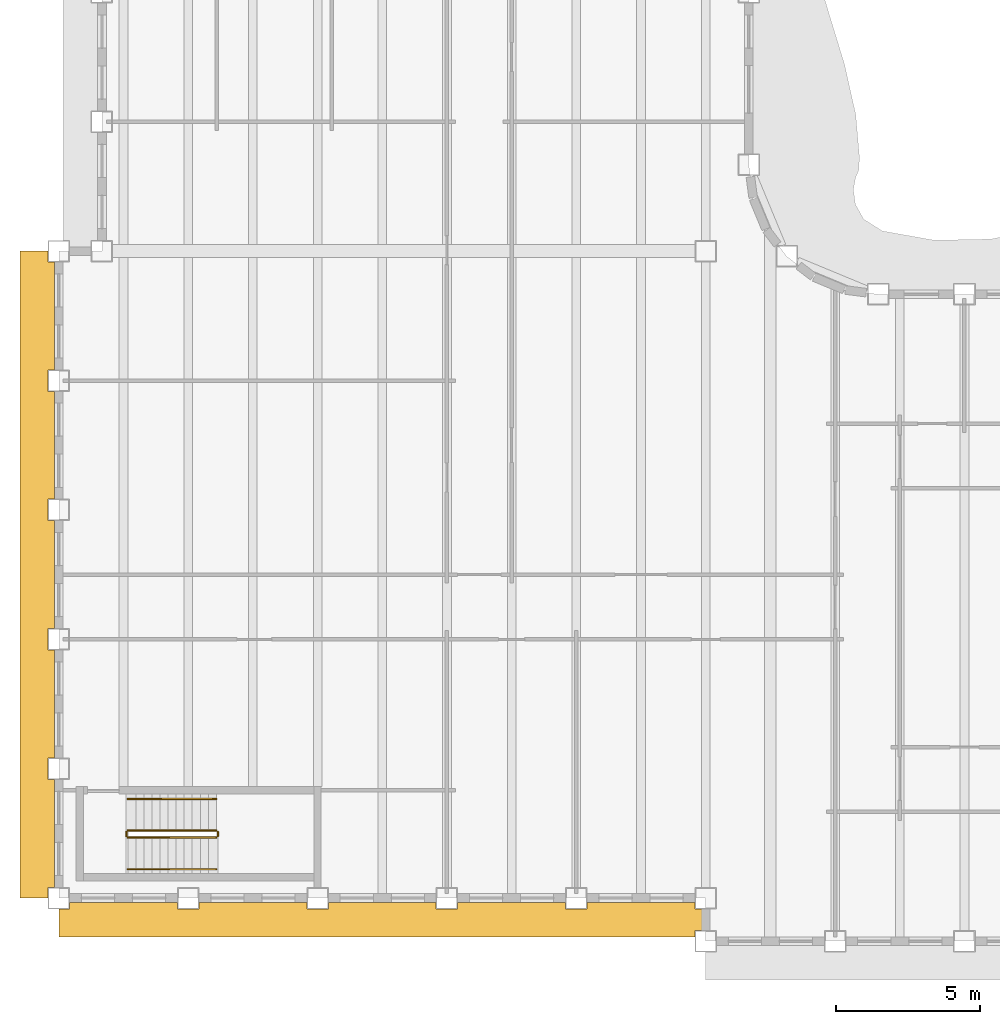
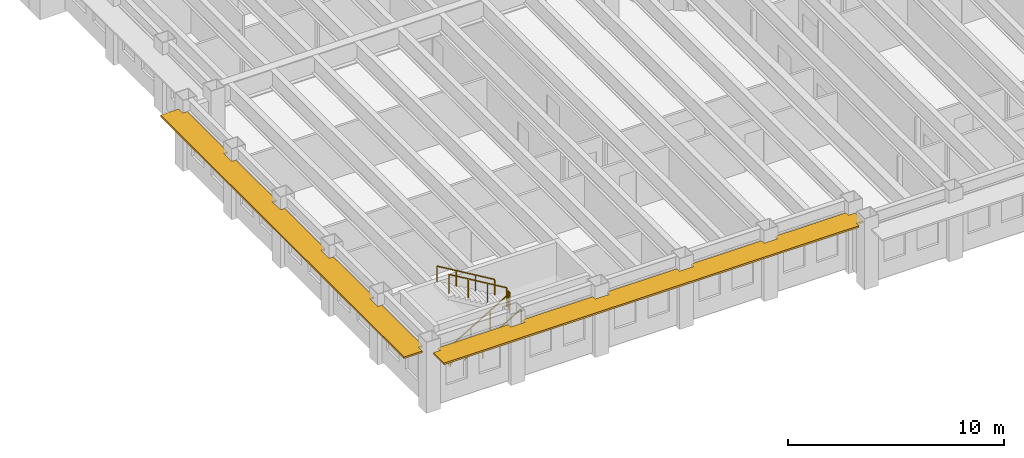
# One storey, part 11 of 16: 6 railings, 2 shading devices.
"""IFC4 building model written with IfcOpenShell, lengths in metres."""

from ifc_helpers import new_model, si_unit, direction, frame, origin, origin_2d, place, context, subcontext, project, spatial, polyline, rectangle, outline, extrude, material, layer, layer_set, type_object, element, save


model = new_model("IFC4")

# Units and contexts
model_context = context("Model", 3, precision=1e-05, world=origin(), true_north=direction((0.0, 1.0)))
body_context = subcontext(model_context, "Body", "Model", "MODEL_VIEW")
ifc_project = project(units=[si_unit("LENGTHUNIT", "METRE"), si_unit("AREAUNIT", "SQUARE_METRE"), si_unit("VOLUMEUNIT", "CUBIC_METRE"), si_unit("PLANEANGLEUNIT", "RADIAN"), si_unit("MASSUNIT", "GRAM", prefix="KILO")], contexts=[model_context])

# Site, building, storey
site_placement = place(None, origin())
site = spatial("IfcSite", under=ifc_project, at=site_placement, CompositionType="ELEMENT")
building_placement = place(site_placement, origin())
building = spatial("IfcBuilding", under=site, at=building_placement, Name="Sennacour Bend Tower", CompositionType="ELEMENT")
storey_placement = place(building_placement, frame((0.0, 0.0, 231.0)))
storey = spatial("IfcBuildingStorey", under=building, at=storey_placement, Name="L53", CompositionType="ELEMENT", Elevation=231.0)

# Railings
ifc_material_1 = material(Name="Stainless steel", Category="steel")
railing_type_1 = type_object("IfcRailingType", Name="RL-GUARD-1100", PredefinedType="GUARDRAIL", material=ifc_material_1)
railing_1_placement = place(storey_placement, frame((2.39990234375, 2.10009765625, 0.166748046875)))
element("IfcRailing", 1, at=railing_1_placement, inside=storey, type_object=railing_type_1, Name="L53 SK1 stair guard 1", PredefinedType="GUARDRAIL", context=body_context, shape_type="SweptSolid", body=[
    extrude(rectangle(XDim=0.048095703125, YDim=0.048095703125, at=origin_2d()), frame((0.0, 0.0, 1.076171875), z_axis=(0.859308565015, 0.0, 0.511457515432), x_axis=(0.0, 1.0, 0.0)), (0.0, 0.0, 1.0), 3.58447265625),
    extrude(rectangle(XDim=0.0419921875, YDim=0.0419921875, at=origin_2d()), origin(), (0.0, 0.0, 1.0), 1.052001953125),
    extrude(rectangle(XDim=0.0419921875, YDim=0.0419921875, at=origin_2d()), frame((1.026611328125, 0.0, 0.611083984375)), (0.0, 0.0, 1.0), 1.052001953125),
    extrude(rectangle(XDim=0.0419921875, YDim=0.0419921875, at=origin_2d()), frame((2.053466796875, 0.0, 1.22216796875)), (0.0, 0.0, 1.0), 1.052001953125),
    extrude(rectangle(XDim=0.0419921875, YDim=0.0419921875, at=origin_2d()), frame((3.080078125, 0.0, 1.833251953125)), (0.0, 0.0, 1.0), 1.052001953125),
])
railing_2_placement = place(storey_placement, frame((5.530029296875, 2.14990234375, 2.0)))
element("IfcRailing", 2, at=railing_2_placement, inside=storey, type_object=railing_type_1, Name="L53 SK1 stair guard 2", PredefinedType="GUARDRAIL", context=body_context, shape_type="SweptSolid", body=[
    extrude(rectangle(XDim=0.048095703125, YDim=0.048095703125, at=origin_2d()), frame((0.0, 0.0, 1.076171875), z_axis=(0.0, 1.0, 0.0), x_axis=(-1.0, 0.0, 0.0)), (0.0, 0.0, 1.0), 0.150146484375),
    extrude(rectangle(XDim=0.0419921875, YDim=0.0419921875, at=origin_2d()), origin(), (0.0, 0.0, 1.0), 1.052001953125),
    extrude(rectangle(XDim=0.0419921875, YDim=0.0419921875, at=origin_2d()), frame((0.0, 0.150146484375, 0.0)), (0.0, 0.0, 1.0), 1.052001953125),
])
railing_3_placement = place(storey_placement, frame((5.47998046875, 2.35009765625, 2.166748046875)))
element("IfcRailing", 3, at=railing_3_placement, inside=storey, type_object=railing_type_1, Name="L53 SK1 stair guard 3", PredefinedType="GUARDRAIL", context=body_context, shape_type="SweptSolid", body=[
    extrude(rectangle(XDim=0.048095703125, YDim=0.048095703125, at=origin_2d()), frame((0.0, 0.0, 1.076171875), z_axis=(-0.859308565015, 0.0, 0.511457515432), x_axis=(0.0, -1.0, 0.0)), (0.0, 0.0, 1.0), 3.58447265625),
    extrude(rectangle(XDim=0.0419921875, YDim=0.0419921875, at=origin_2d()), origin(), (0.0, 0.0, 1.0), 1.052001953125),
    extrude(rectangle(XDim=0.0419921875, YDim=0.0419921875, at=origin_2d()), frame((-1.026611328125, 0.0, 0.611083984375)), (0.0, 0.0, 1.0), 1.052001953125),
    extrude(rectangle(XDim=0.0419921875, YDim=0.0419921875, at=origin_2d()), frame((-2.053466796875, 0.0, 1.22216796875)), (0.0, 0.0, 1.0), 1.052001953125),
    extrude(rectangle(XDim=0.0419921875, YDim=0.0419921875, at=origin_2d()), frame((-3.080078125, 0.0, 1.833251953125)), (0.0, 0.0, 1.0), 1.052001953125),
])
railing_4_placement = place(storey_placement, frame((2.35009765625, 2.14990234375, 0.0)))
element("IfcRailing", 4, at=railing_4_placement, inside=storey, type_object=railing_type_1, Name="L53 SK1 stair guard 4", PredefinedType="GUARDRAIL", context=body_context, shape_type="SweptSolid", body=[
    extrude(rectangle(XDim=0.048095703125, YDim=0.048095703125, at=origin_2d()), frame((0.0, 0.0, 1.076171875), z_axis=(0.0, 1.0, 0.0), x_axis=(-1.0, 0.0, 0.0)), (0.0, 0.0, 1.0), 0.150146484375),
    extrude(rectangle(XDim=0.0419921875, YDim=0.0419921875, at=origin_2d()), origin(), (0.0, 0.0, 1.0), 1.052001953125),
    extrude(rectangle(XDim=0.0419921875, YDim=0.0419921875, at=origin_2d()), frame((0.0, 0.150146484375, 0.0)), (0.0, 0.0, 1.0), 1.052001953125),
])
railing_type_2 = type_object("IfcRailingType", Name="RL-HANDRAIL-900", PredefinedType="HANDRAIL", material=ifc_material_1)
railing_5_placement = place(storey_placement, frame((2.39990234375, 1.0, 0.166748046875)))
element("IfcRailing", 5, at=railing_5_placement, inside=storey, type_object=railing_type_2, Name="L53 SK1 stair handrail 1", PredefinedType="HANDRAIL", context=body_context, shape_type="SweptSolid", body=[
    extrude(rectangle(XDim=0.048095703125, YDim=0.048095703125, at=origin_2d()), frame((0.0, 0.0, 0.8759765625), z_axis=(0.859308565015, 0.0, 0.511457515432), x_axis=(0.0, 1.0, 0.0)), (0.0, 0.0, 1.0), 3.58447265625),
    extrude(rectangle(XDim=0.0419921875, YDim=0.0419921875, at=origin_2d()), origin(), (0.0, 0.0, 1.0), 0.851806640625),
    extrude(rectangle(XDim=0.0419921875, YDim=0.0419921875, at=origin_2d()), frame((1.026611328125, 0.0, 0.611083984375)), (0.0, 0.0, 1.0), 0.851806640625),
    extrude(rectangle(XDim=0.0419921875, YDim=0.0419921875, at=origin_2d()), frame((2.053466796875, 0.0, 1.22216796875)), (0.0, 0.0, 1.0), 0.851806640625),
    extrude(rectangle(XDim=0.0419921875, YDim=0.0419921875, at=origin_2d()), frame((3.080078125, 0.0, 1.833251953125)), (0.0, 0.0, 1.0), 0.851806640625),
])
railing_6_placement = place(storey_placement, frame((5.47998046875, 3.449951171875, 2.166748046875)))
element("IfcRailing", 6, at=railing_6_placement, inside=storey, type_object=railing_type_2, Name="L53 SK1 stair handrail 2", PredefinedType="HANDRAIL", context=body_context, shape_type="SweptSolid", body=[
    extrude(rectangle(XDim=0.048095703125, YDim=0.048095703125, at=origin_2d()), frame((0.0, 0.0, 0.8759765625), z_axis=(-0.859308565015, 0.0, 0.511457515432), x_axis=(0.0, -1.0, 0.0)), (0.0, 0.0, 1.0), 3.58447265625),
    extrude(rectangle(XDim=0.0419921875, YDim=0.0419921875, at=origin_2d()), origin(), (0.0, 0.0, 1.0), 0.851806640625),
    extrude(rectangle(XDim=0.0419921875, YDim=0.0419921875, at=origin_2d()), frame((-1.026611328125, 0.0, 0.611083984375)), (0.0, 0.0, 1.0), 0.851806640625),
    extrude(rectangle(XDim=0.0419921875, YDim=0.0419921875, at=origin_2d()), frame((-2.053466796875, 0.0, 1.22216796875)), (0.0, 0.0, 1.0), 0.851806640625),
    extrude(rectangle(XDim=0.0419921875, YDim=0.0419921875, at=origin_2d()), frame((-3.080078125, 0.0, 1.833251953125)), (0.0, 0.0, 1.0), 0.851806640625),
])

# Shading devices
ifc_material_2 = material(Name="Bronze anodised aluminium", Category="aluminium")
ifc_layer = layer(ifc_material_2, 0.10009765625, Name="Bronze anodised aluminium", Category="aluminium")
ifc_layer_set = layer_set([ifc_layer], Name="Bronze anodised aluminium")
shading_device_type = type_object("IfcShadingDeviceType", Name="SUNSHADE BAND STRAIGHT", PredefinedType="USERDEFINED", material=ifc_layer_set)
shading_device_1_placement = place(storey_placement, frame((0.0, 0.0, 3.056884765625)))
element("IfcShadingDevice", 7, at=shading_device_1_placement, inside=storey, type_object=shading_device_type, Name="Sunshade band L53 K outer face", ObjectType="SUNSHADE", PredefinedType="USERDEFINED", context=body_context, shape_type="SweptSolid", body=[
    extrude(outline(polyline([(-0.14990234375, 18.375), (-0.375, 18.375), (-0.375, 17.625), (-0.14990234375, 17.625), (-0.14990234375, 13.875), (-0.375, 13.875), (-0.375, 13.125), (-0.14990234375, 13.125), (-0.14990234375, 9.375), (-0.375, 9.375), (-0.375, 8.625), (-0.14990234375, 8.625), (-0.14990234375, 4.875), (-0.375, 4.875), (-0.375, 4.125), (-0.14990234375, 4.125), (-0.14990234375, 0.375), (-0.375, 0.375), (-0.375, 0.0), (-1.35009765625, 0.0), (-1.35009765625, 22.5), (-0.375, 22.5), (-0.375, 22.125), (-0.14990234375, 22.125), (-0.14990234375, 18.375)])), origin(), (0.0, 0.0, 1.0), 0.10009765625),
])
shading_device_2_placement = place(storey_placement, frame((0.0, 0.0, 3.056884765625)))
element("IfcShadingDevice", 8, at=shading_device_2_placement, inside=storey, type_object=shading_device_type, Name="Sunshade band L53 K outer face", ObjectType="SUNSHADE", PredefinedType="USERDEFINED", context=body_context, shape_type="SweptSolid", body=[
    extrude(outline(polyline([(4.125, -0.14990234375), (4.125, -0.375), (4.875, -0.375), (4.875, -0.14990234375), (8.625, -0.14990234375), (8.625, -0.375), (9.375, -0.375), (9.375, -0.14990234375), (13.125, -0.14990234375), (13.125, -0.375), (13.875, -0.375), (13.875, -0.14990234375), (17.625, -0.14990234375), (17.625, -0.375), (18.375, -0.375), (18.375, -0.14990234375), (22.125, -0.14990234375), (22.125, -0.375), (22.5, -0.375), (22.5, -1.125), (22.125, -1.125), (22.125, -1.35009765625), (0.0, -1.35009765625), (0.0, -0.375), (0.375, -0.375), (0.375, -0.14990234375), (4.125, -0.14990234375)])), origin(), (0.0, 0.0, 1.0), 0.10009765625),
])

save(model, "model.ifc")
